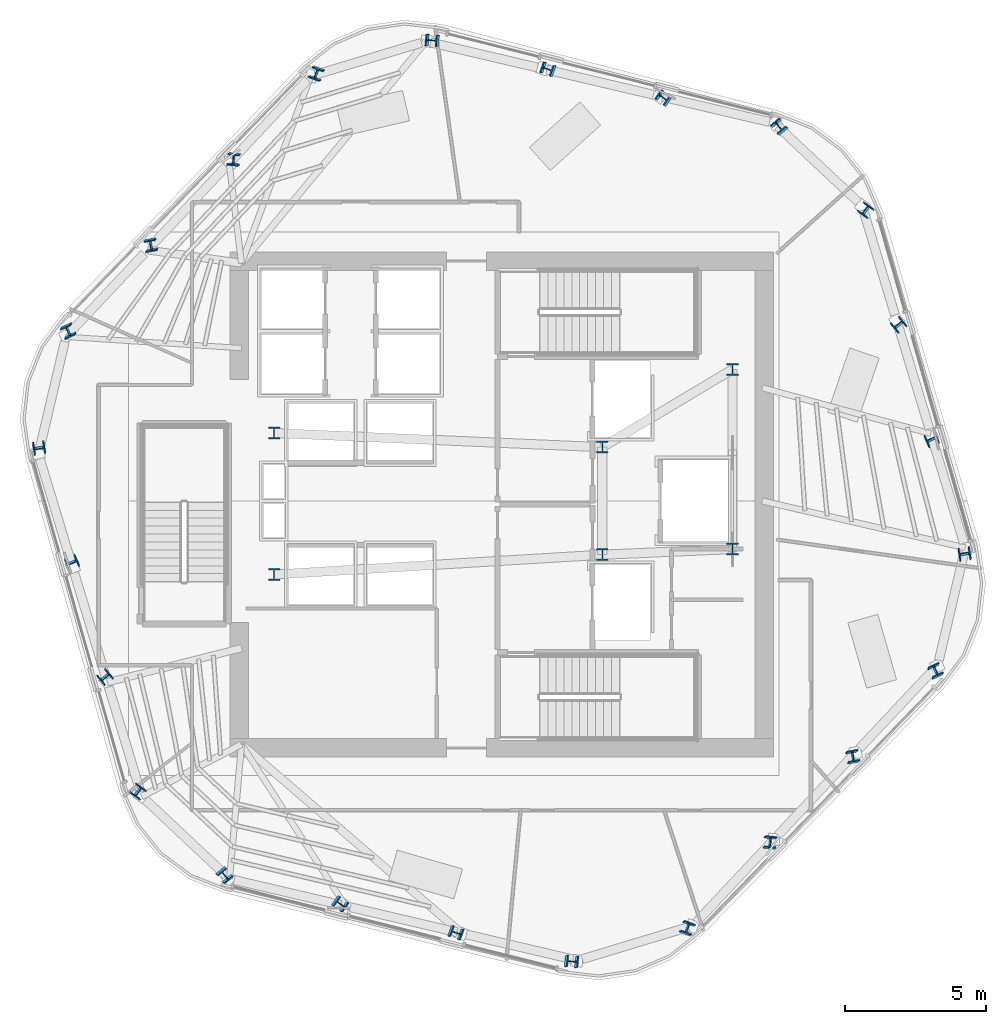
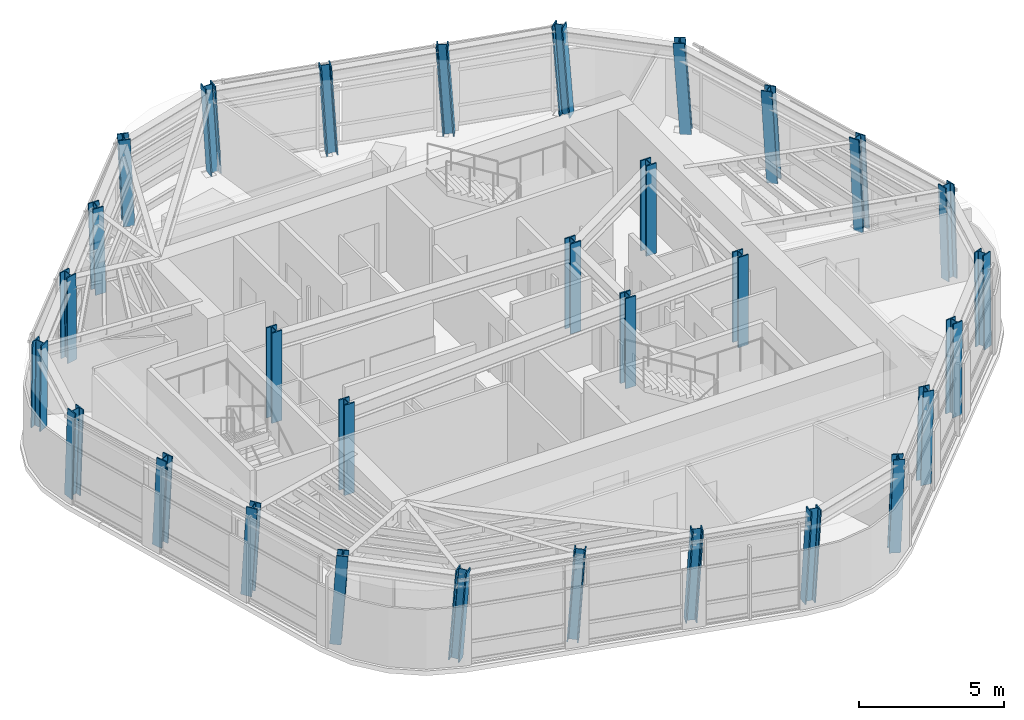
# One storey, part 1 of 13: 30 columns.
"""IFC4 building model written with IfcOpenShell, lengths in metres."""

from ifc_helpers import new_model, si_unit, direction, frame, origin, origin_2d, place, context, subcontext, project, spatial, i_section, extrude, material, material_profile, profile_set, type_object, element, save


model = new_model("IFC4")

# Units and contexts
model_context = context("Model", 3, precision=1e-05, world=origin(), true_north=direction((0.0, 1.0)))
body_context = subcontext(model_context, "Body", "Model", "MODEL_VIEW")
ifc_project = project(units=[si_unit("LENGTHUNIT", "METRE"), si_unit("AREAUNIT", "SQUARE_METRE"), si_unit("VOLUMEUNIT", "CUBIC_METRE"), si_unit("PLANEANGLEUNIT", "RADIAN"), si_unit("MASSUNIT", "GRAM", prefix="KILO")], contexts=[model_context])

# Site, building, storey
site_placement = place(None, origin())
site = spatial("IfcSite", under=ifc_project, at=site_placement, CompositionType="ELEMENT")
building_placement = place(site_placement, origin())
building = spatial("IfcBuilding", under=site, at=building_placement, Name="Valkerne Bourse Tower", CompositionType="ELEMENT")
storey_placement = place(building_placement, frame((0.0, 0.0, 220.800048828125)))
storey = spatial("IfcBuildingStorey", under=building, at=storey_placement, Name="L56", CompositionType="ELEMENT", Elevation=220.800048828125)

# Columns
ifc_material = material(Name="Steel ASTM A913 Grade 65", Category="steel")
ifc_material_profile_1 = material_profile(ifc_material, i_section(OverallWidth=0.40380859375, OverallDepth=0.406494140625, WebThickness=0.027099609375, FlangeThickness=0.043701171875, FilletRadius=0.025390625, at=origin_2d()), Name="W14X233")
ifc_profile_set_1 = profile_set([ifc_material_profile_1], Name="Steel ASTM A913 Grade 65")
column_type_1 = type_object("IfcColumnType", Name="COL-W14X233", PredefinedType="COLUMN", material=ifc_profile_set_1)
column_1_placement = place(storey_placement, frame((56.63037109375, 40.20166015625, 0.010009765625), z_axis=(-0.055078811806, 0.040326708995, 0.997667319817), x_axis=(0.769055142199, 0.638966063347, 0.01663003751)))
element("IfcColumn", 1, at=column_1_placement, inside=storey, type_object=column_type_1, Name="L56 Helical Perimeter Tube Column F1-C1", PredefinedType="COLUMN", context=body_context, shape_type="SweptSolid", body=[
    extrude(i_section(OverallWidth=0.40380859375, OverallDepth=0.406494140625, WebThickness=0.027099609375, FlangeThickness=0.043701171875, FilletRadius=0.025390625, at=origin_2d()), origin(), (0.0, 0.0, 1.0), 3.789794921875),
])
for number, where, z_axis, x_axis, name in (
    (2, (52.545166015625, 41.227783203125, 0.010009765625), (-0.059155469633, 0.023391541914, 0.997974682134), (0.582729022911, 0.812518757359, 0.015496928657), "L56 Helical Perimeter Tube Column F1-C2"),
    (3, (48.460205078125, 42.25390625, 0.010009765625), (-0.063343827713, 0.006379490278, 0.997971373134), (0.339083350389, 0.940628478583, 0.015509570224), "L56 Helical Perimeter Tube Column F1-C3"),
):
    element("IfcColumn", number, at=place(storey_placement, frame(where, z_axis=z_axis, x_axis=x_axis)), inside=storey, type_object=column_type_1, Name=name, PredefinedType="COLUMN", context=body_context, shape_type="SweptSolid", body=[
        extrude(i_section(OverallWidth=0.40380859375, OverallDepth=0.406494140625, WebThickness=0.027099609375, FlangeThickness=0.043701171875, FilletRadius=0.025390625, at=origin_2d()), origin(), (0.0, 0.0, 1.0), 3.78857421875),
    ])
for number, where, z_axis, x_axis, name in (
    (4, (44.375, 43.280029296875, 0.010009765625), (-0.06738323154, -0.010564866131, 0.997671230271), (0.089885531255, 0.995813484644, 0.016616108812), "L56 Helical Perimeter Tube Column F1-C4"),
    (5, (40.2822265625, 42.114013671875, 0.010009765625), (-0.062422972529, -0.027442916716, 0.997672420598), (-0.935944292106, 0.348726806447, -0.048968321786), "L56 Helical Perimeter Tube Column F2-C1"),
):
    element("IfcColumn", number, at=place(storey_placement, frame(where, z_axis=z_axis, x_axis=x_axis)), inside=storey, type_object=column_type_1, Name=name, PredefinedType="COLUMN", context=body_context, shape_type="SweptSolid", body=[
        extrude(i_section(OverallWidth=0.40380859375, OverallDepth=0.406494140625, WebThickness=0.027099609375, FlangeThickness=0.043701171875, FilletRadius=0.025390625, at=origin_2d()), origin(), (0.0, 0.0, 1.0), 3.789794921875),
    ])
column_2_placement = place(storey_placement, frame((37.35107421875, 39.08935546875, 0.010009765625), z_axis=(-0.049876016767, -0.039565729063, 0.99797141043), x_axis=(-0.993956355096, 0.099802691719, -0.04571856177)))
element("IfcColumn", 6, at=column_2_placement, inside=storey, type_object=column_type_1, Name="L56 Helical Perimeter Tube Column F2-C2", PredefinedType="COLUMN", context=body_context, shape_type="SweptSolid", body=[
    extrude(i_section(OverallWidth=0.40380859375, OverallDepth=0.406494140625, WebThickness=0.027099609375, FlangeThickness=0.043701171875, FilletRadius=0.025390625, at=origin_2d()), origin(), (0.0, 0.0, 1.0), 3.78857421875),
])
column_3_placement = place(storey_placement, frame((34.419921875, 36.064697265625, 0.010009765625), z_axis=(-0.037245820297, -0.05168018664, 0.997968890888), x_axis=(-0.983589793844, -0.174523170802, -0.045746915724)))
element("IfcColumn", 7, at=column_3_placement, inside=storey, type_object=column_type_1, Name="L56 Helical Perimeter Tube Column F2-C3", PredefinedType="COLUMN", context=body_context, shape_type="SweptSolid", body=[
    extrude(i_section(OverallWidth=0.40380859375, OverallDepth=0.406494140625, WebThickness=0.027099609375, FlangeThickness=0.043701171875, FilletRadius=0.025390625, at=origin_2d()), origin(), (0.0, 0.0, 1.0), 3.788818359375),
])
for number, where, z_axis, x_axis, name in (
    (8, (31.488525390625, 33.039794921875, 0.010009765625), (-0.024543972857, -0.06364683775, 0.997670623723), (-0.90708782847, -0.418081243185, -0.048987197709), "L56 Helical Perimeter Tube Column F2-C4"),
    (9, (30.451904296875, 28.912353515625, 0.010009765625), (-0.007408306922, -0.067769903324, 0.99767347223), (0.168069273121, -0.983592344011, -0.065565389003), "L56 Helical Perimeter Tube Column F3-C1"),
):
    element("IfcColumn", number, at=place(storey_placement, frame(where, z_axis=z_axis, x_axis=x_axis)), inside=storey, type_object=column_type_1, Name=name, PredefinedType="COLUMN", context=body_context, shape_type="SweptSolid", body=[
        extrude(i_section(OverallWidth=0.40380859375, OverallDepth=0.406494140625, WebThickness=0.027099609375, FlangeThickness=0.043701171875, FilletRadius=0.025390625, at=origin_2d()), origin(), (0.0, 0.0, 1.0), 3.789794921875),
    ])
for number, where, z_axis, x_axis, name in (
    (10, (31.605712890625, 24.861572265625, 0.010009765625), (0.009343746168, -0.062893077656, 0.997976530381), (0.412029467433, -0.90911622108, -0.061150752538), "L56 Helical Perimeter Tube Column F3-C2"),
    (11, (32.759765625, 20.810791015625, 0.010009765625), (0.026098026667, -0.057995614816, 0.99797565184), (0.643695026551, -0.762833976919, -0.061164012719), "L56 Helical Perimeter Tube Column F3-C3"),
):
    element("IfcColumn", number, at=place(storey_placement, frame(where, z_axis=z_axis, x_axis=x_axis)), inside=storey, type_object=column_type_1, Name=name, PredefinedType="COLUMN", context=body_context, shape_type="SweptSolid", body=[
        extrude(i_section(OverallWidth=0.40380859375, OverallDepth=0.406494140625, WebThickness=0.027099609375, FlangeThickness=0.043701171875, FilletRadius=0.025390625, at=origin_2d()), origin(), (0.0, 0.0, 1.0), 3.78857421875),
    ])
for number, where, z_axis, x_axis, name in (
    (12, (33.91357421875, 16.760009765625, 0.010009765625), (0.042839080383, -0.053146227542, 0.997667425393), (0.81544437776, -0.575100414364, -0.065650439276), "L56 Helical Perimeter Tube Column F3-C4"),
    (13, (36.9697265625, 13.79833984375, 0.010009765625), (0.05501458723, -0.040326851998, 0.997670857648), (0.76941220274, 0.638536391348, -0.01661743657), "L56 Helical Perimeter Tube Column F4-C1"),
):
    element("IfcColumn", number, at=place(storey_placement, frame(where, z_axis=z_axis, x_axis=x_axis)), inside=storey, type_object=column_type_1, Name=name, PredefinedType="COLUMN", context=body_context, shape_type="SweptSolid", body=[
        extrude(i_section(OverallWidth=0.40380859375, OverallDepth=0.406494140625, WebThickness=0.027099609375, FlangeThickness=0.043701171875, FilletRadius=0.025390625, at=origin_2d()), origin(), (0.0, 0.0, 1.0), 3.789794921875),
    ])
for number, where, z_axis, x_axis, name in (
    (14, (41.0546875, 12.772216796875, 0.010009765625), (0.059219683277, -0.023391452698, 0.997970875854), (0.582425740634, 0.812735904814, -0.015511469116), "L56 Helical Perimeter Tube Column F4-C2"),
    (15, (45.139892578125, 11.74609375, 0.010009765625), (0.063279646583, -0.006379516305, 0.997975444638), (0.339179835006, 0.940593948019, -0.015494014149), "L56 Helical Perimeter Tube Column F4-C3"),
):
    element("IfcColumn", number, at=place(storey_placement, frame(where, z_axis=z_axis, x_axis=x_axis)), inside=storey, type_object=column_type_1, Name=name, PredefinedType="COLUMN", context=body_context, shape_type="SweptSolid", body=[
        extrude(i_section(OverallWidth=0.40380859375, OverallDepth=0.406494140625, WebThickness=0.027099609375, FlangeThickness=0.043701171875, FilletRadius=0.025390625, at=origin_2d()), origin(), (0.0, 0.0, 1.0), 3.78857421875),
    ])
for number, where, z_axis, x_axis, name in (
    (16, (49.22509765625, 10.719970703125, 0.010009765625), (0.06738323154, 0.010564866131, 0.997671230271), (0.089885531255, 0.995813484644, -0.016616108812), "L56 Helical Perimeter Tube Column F4-C4"),
    (17, (53.31787109375, 11.885986328125, 0.010009765625), (0.062422972529, 0.027442916716, 0.997672420598), (-0.935944292106, 0.348726806447, 0.048968321786), "L56 Helical Perimeter Tube Column F5-C1"),
):
    element("IfcColumn", number, at=place(storey_placement, frame(where, z_axis=z_axis, x_axis=x_axis)), inside=storey, type_object=column_type_1, Name=name, PredefinedType="COLUMN", context=body_context, shape_type="SweptSolid", body=[
        extrude(i_section(OverallWidth=0.40380859375, OverallDepth=0.406494140625, WebThickness=0.027099609375, FlangeThickness=0.043701171875, FilletRadius=0.025390625, at=origin_2d()), origin(), (0.0, 0.0, 1.0), 3.789794921875),
    ])
for number, where, z_axis, x_axis, name in (
    (18, (56.2490234375, 14.91064453125, 0.010009765625), (0.04981173746, 0.039565856145, 0.997974615829), (-0.994020791477, 0.099175493967, 0.045682463906), "L56 Helical Perimeter Tube Column F5-C2"),
    (19, (59.18017578125, 17.935302734375, 0.010009765625), (0.037181470323, 0.05168031057, 0.997971284038), (-0.983447160815, -0.17533215591, 0.045719984557), "L56 Helical Perimeter Tube Column F5-C3"),
):
    element("IfcColumn", number, at=place(storey_placement, frame(where, z_axis=z_axis, x_axis=x_axis)), inside=storey, type_object=column_type_1, Name=name, PredefinedType="COLUMN", context=body_context, shape_type="SweptSolid", body=[
        extrude(i_section(OverallWidth=0.40380859375, OverallDepth=0.406494140625, WebThickness=0.027099609375, FlangeThickness=0.043701171875, FilletRadius=0.025390625, at=origin_2d()), origin(), (0.0, 0.0, 1.0), 3.78857421875),
    ])
for number, where, z_axis, x_axis, name in (
    (20, (62.111328125, 20.960205078125, 0.010009765625), (0.024543972857, 0.06364683775, 0.997670623723), (-0.90708782847, -0.418081243185, 0.048987197709), "L56 Helical Perimeter Tube Column F5-C4"),
    (21, (63.148193359375, 25.087646484375, 0.010009765625), (0.007408306922, 0.067769903324, 0.99767347223), (0.168069273121, -0.983592344011, 0.065565389003), "L56 Helical Perimeter Tube Column F6-C1"),
):
    element("IfcColumn", number, at=place(storey_placement, frame(where, z_axis=z_axis, x_axis=x_axis)), inside=storey, type_object=column_type_1, Name=name, PredefinedType="COLUMN", context=body_context, shape_type="SweptSolid", body=[
        extrude(i_section(OverallWidth=0.40380859375, OverallDepth=0.406494140625, WebThickness=0.027099609375, FlangeThickness=0.043701171875, FilletRadius=0.025390625, at=origin_2d()), origin(), (0.0, 0.0, 1.0), 3.789794921875),
    ])
for number, where, z_axis, x_axis, name in (
    (22, (61.994140625, 29.138427734375, 0.010009765625), (-0.009343746168, 0.062893077656, 0.997976530381), (0.412029467433, -0.90911622108, 0.061150752538), "L56 Helical Perimeter Tube Column F6-C2"),
    (23, (60.84033203125, 33.189208984375, 0.010009765625), (-0.026098026667, 0.057995614816, 0.99797565184), (0.643695026551, -0.762833976919, 0.061164012719), "L56 Helical Perimeter Tube Column F6-C3"),
):
    element("IfcColumn", number, at=place(storey_placement, frame(where, z_axis=z_axis, x_axis=x_axis)), inside=storey, type_object=column_type_1, Name=name, PredefinedType="COLUMN", context=body_context, shape_type="SweptSolid", body=[
        extrude(i_section(OverallWidth=0.40380859375, OverallDepth=0.406494140625, WebThickness=0.027099609375, FlangeThickness=0.043701171875, FilletRadius=0.025390625, at=origin_2d()), origin(), (0.0, 0.0, 1.0), 3.78857421875),
    ])
column_4_placement = place(storey_placement, frame((59.686279296875, 37.239990234375, 0.010009765625), z_axis=(-0.042839080383, 0.053146227542, 0.997667425393), x_axis=(0.81544437776, -0.575100414364, 0.065650439276)))
element("IfcColumn", 24, at=column_4_placement, inside=storey, type_object=column_type_1, Name="L56 Helical Perimeter Tube Column F6-C4", PredefinedType="COLUMN", context=body_context, shape_type="SweptSolid", body=[
    extrude(i_section(OverallWidth=0.40380859375, OverallDepth=0.406494140625, WebThickness=0.027099609375, FlangeThickness=0.043701171875, FilletRadius=0.025390625, at=origin_2d()), origin(), (0.0, 0.0, 1.0), 3.789794921875),
])
ifc_material_profile_2 = material_profile(ifc_material, i_section(OverallWidth=0.408935546875, OverallDepth=0.42431640625, WebThickness=0.03271484375, FlangeThickness=0.052490234375, FilletRadius=0.025390625, at=origin_2d()), Name="W14X283")
ifc_profile_set_2 = profile_set([ifc_material_profile_2], Name="Steel ASTM A913 Grade 65")
column_type_2 = type_object("IfcColumnType", Name="COL-W14X283", PredefinedType="COLUMN", material=ifc_profile_set_2)
for number, where, z_axis, x_axis, name in (
    (25, (38.75, 24.39990234375, 0.0048828125), (0.0, 0.0, 1.0), (1.0, 0.0, 0.0), "L56 Core Frame Column CC-SW"),
    (26, (38.75, 29.39990234375, 0.0048828125), (0.0, 0.0, 1.0), (1.0, 0.0, 0.0), "L56 Core Frame Column CC-NW"),
    (27, (50.35009765625, 25.10009765625, 0.0048828125), (0.0, 0.0, 1.0), (1.0, 0.0, 0.0), "L56 Core Frame Column CC-CE1"),
    (28, (50.35009765625, 28.89990234375, 0.0048828125), (0.0, 0.0, 1.0), (1.0, 0.0, 0.0), "L56 Core Frame Column CC-CE2"),
    (29, (54.949951171875, 25.300048828125, 0.0048828125), (0.0, 0.0, 1.0), (1.0, 0.0, 0.0), "L56 Core Frame Column CC-SE"),
    (30, (54.949951171875, 31.64990234375, 0.0048828125), (0.0, 0.0, 1.0), (1.0, 0.0, 0.0), "L56 Core Frame Column CC-NE"),
):
    element("IfcColumn", number, at=place(storey_placement, frame(where, z_axis=z_axis, x_axis=x_axis)), inside=storey, type_object=column_type_2, Name=name, PredefinedType="COLUMN", context=body_context, shape_type="SweptSolid", body=[
        extrude(i_section(OverallWidth=0.408935546875, OverallDepth=0.42431640625, WebThickness=0.03271484375, FlangeThickness=0.052490234375, FilletRadius=0.025390625, at=origin_2d()), origin(), (0.0, 0.0, 1.0), 3.795166015625),
    ])

save(model, "model.ifc")
